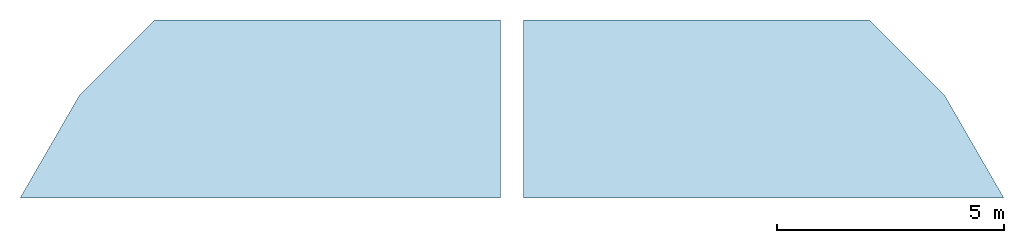
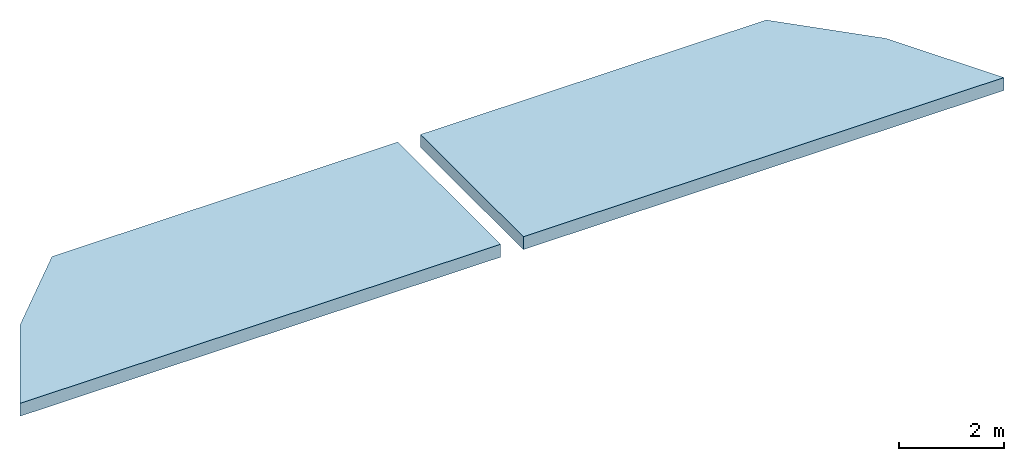
# One storey: 2 slabs.
"""IFC4 building model written with IfcOpenShell, lengths in metres."""

from ifc_helpers import new_model, si_unit, direction, frame, origin, place, context, subcontext, project, spatial, polyline, outline, extrude, material, layer, layer_set, type_object, element, save


model = new_model("IFC4")

# Units and contexts
model_context = context("Model", 3, precision=1e-05, world=origin(), true_north=direction((0.0, 1.0)))
body_context = subcontext(model_context, "Body", "Model", "MODEL_VIEW")
ifc_project = project(units=[si_unit("LENGTHUNIT", "METRE"), si_unit("AREAUNIT", "SQUARE_METRE"), si_unit("VOLUMEUNIT", "CUBIC_METRE"), si_unit("PLANEANGLEUNIT", "RADIAN"), si_unit("MASSUNIT", "GRAM", prefix="KILO")], contexts=[model_context])

# Site, building, storey
site_placement = place(None, origin())
site = spatial("IfcSite", under=ifc_project, at=site_placement, CompositionType="ELEMENT")
building_placement = place(site_placement, origin())
building = spatial("IfcBuilding", under=site, at=building_placement, Name="Spindle Arch Residences", CompositionType="ELEMENT")
storey_placement = place(building_placement, frame((0.0, 0.0, 374.199951171875)))
storey = spatial("IfcBuildingStorey", under=building, at=storey_placement, Name="UPPER ROOF", CompositionType="ELEMENT", Elevation=374.199951171875)

# Slabs
ifc_material = material(Name="Concrete C50/60", Category="concrete")
ifc_layer = layer(ifc_material, 0.300048828125)
ifc_layer_set = layer_set([ifc_layer], Name="Head-house roof slab 300")
slab_type = type_object("IfcSlabType", Name="Head-house roof slab 300", PredefinedType="ROOF", material=ifc_layer_set)
slab_1_placement = place(storey_placement, origin())
element("IfcSlab", 1, at=slab_1_placement, inside=storey, type_object=slab_type, Name="Head-house roof", PredefinedType="ROOF", context=body_context, shape_type="SweptSolid", body=[
    extrude(outline(polyline([(7.0, 5.050048828125), (10.244873046875, 5.050048828125), (10.822265625, 5.050048828125), (9.520263671875, 7.30517578125), (7.855224609375, 8.969970703125), (7.148193359375, 8.969970703125), (7.0, 8.969970703125), (0.25, 8.969970703125), (0.25, 5.050048828125), (7.0, 5.050048828125)])), origin(), (0.0, 0.0, 1.0), 0.300048828125),
])
slab_2_placement = place(storey_placement, origin())
element("IfcSlab", 2, at=slab_2_placement, inside=storey, type_object=slab_type, Name="Head-house roof", PredefinedType="ROOF", context=body_context, shape_type="SweptSolid", body=[
    extrude(outline(polyline([(-9.520263671875, 7.30517578125), (-10.822265625, 5.050048828125), (-10.244873046875, 5.050048828125), (-7.0, 5.050048828125), (-0.25, 5.050048828125), (-0.25, 8.969970703125), (-7.0, 8.969970703125), (-7.148193359375, 8.969970703125), (-7.855224609375, 8.969970703125), (-9.520263671875, 7.30517578125)])), origin(), (0.0, 0.0, 1.0), 0.300048828125),
])

save(model, "model.ifc")
